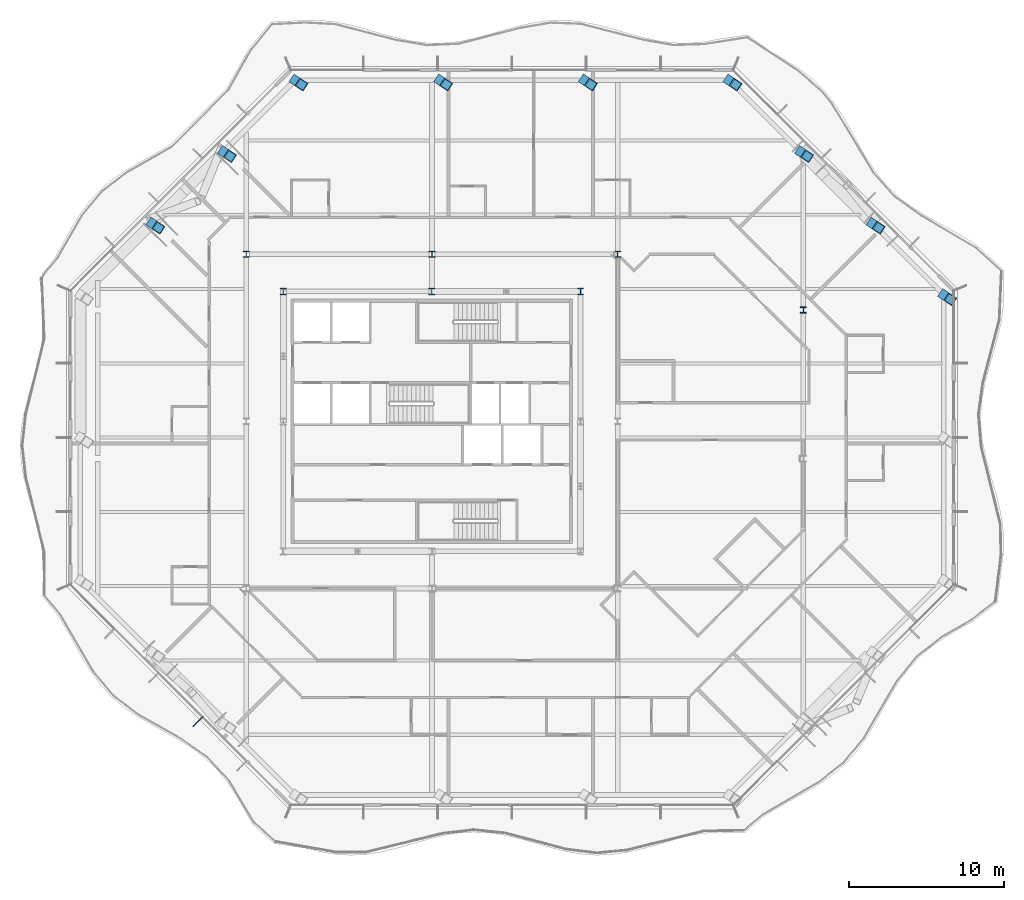
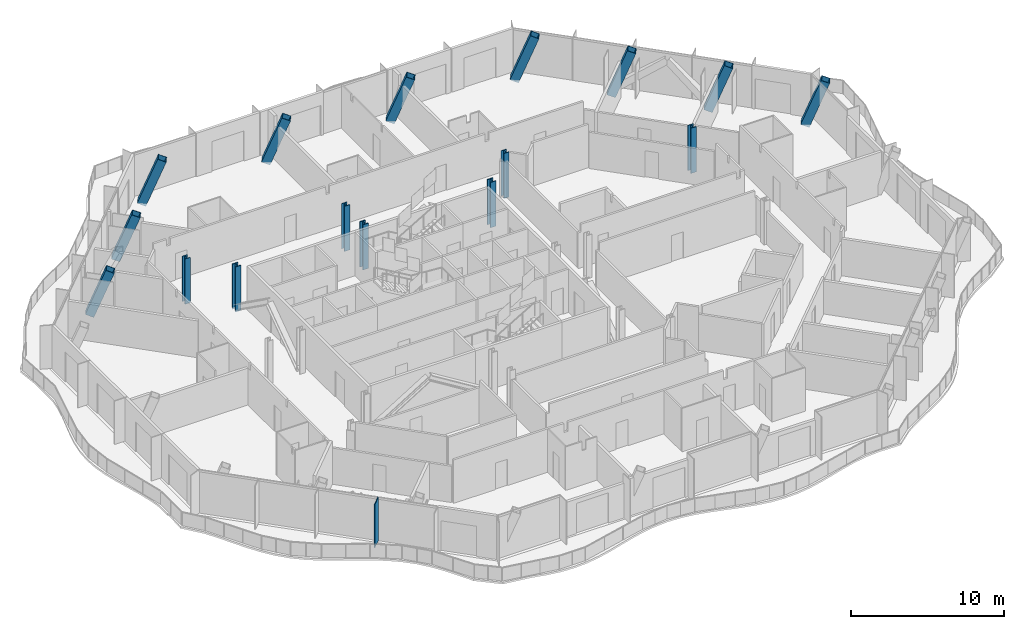
# One storey, part 2 of 19: 16 columns, 1 member, 1 element without a shape of its own.
"""IFC4 building model written with IfcOpenShell, lengths in metres."""

import ifcopenshell
import ifcopenshell.guid

model = None  # the IFC model being written
_history = None  # IfcOwnerHistory: only IFC2X3 demands one
_inside = {}  # id of a spatial element -> (the spatial element, [elements in it])
_under = {}  # id of a project, library or spatial element -> (it, [spatial elements below it])
_declared = {}  # id of a project -> (the project, [libraries it declares])
_typed = {}  # id of a type object -> (the type object, [elements of that type])
_made_of = {}  # id of a material, layer set ... -> (it, [elements and type objects made of it])


def new_model(schema):
    """Start an empty IFC model of exactly this schema.

    Asked for "IFC4X3", IfcOpenShell would pick the latest addendum, in which some entities
    have other attributes; the version numbers below select the first issue.
    IFC2X3 requires an IfcOwnerHistory on every rooted entity: one is made here for all.
    """
    global model, _history
    if schema == "IFC4X3":
        model = ifcopenshell.file(schema_version=(4, 3, 0, 0))
    else:
        model = ifcopenshell.file(schema=schema)
    _inside.clear()
    _under.clear()
    _declared.clear()
    _typed.clear()
    _made_of.clear()
    _history = None
    if model.schema == "IFC2X3":
        org = make("IfcOrganization", Name="unknown")
        user = make(
            "IfcPersonAndOrganization",
            ThePerson=make("IfcPerson", FamilyName="unknown"),
            TheOrganization=org,
        )
        app = make(
            "IfcApplication",
            ApplicationDeveloper=org,
            Version="unknown",
            ApplicationFullName="unknown",
            ApplicationIdentifier="unknown",
        )
        _history = make(
            "IfcOwnerHistory",
            OwningUser=user,
            OwningApplication=app,
            ChangeAction="ADDED",
            CreationDate=0,
        )
    return model


def make(cls, **values):
    """One entity of the class cls with the attributes given. An attribute that is None is left unset."""
    return model.create_entity(
        cls, **{name: value for name, value in values.items() if value is not None}
    )


def rooted(cls, **values):
    """An entity with a GlobalId (a new one), such as an element, a storey or a relation."""
    return make(cls, GlobalId=ifcopenshell.guid.new(), OwnerHistory=_history, **values)


def si_unit(unit_type, name, prefix=None):
    """IfcSIUnit, for example si_unit("LENGTHUNIT", "METRE", prefix="MILLI")."""
    return make("IfcSIUnit", UnitType=unit_type, Prefix=prefix, Name=name)


def assignment(units):
    """IfcUnitAssignment: the units of a project."""
    return None if units is None else make("IfcUnitAssignment", Units=units)


def point(xyz):
    """IfcCartesianPoint."""
    return None if xyz is None else make("IfcCartesianPoint", Coordinates=xyz)


def direction(xyz):
    """IfcDirection."""
    return None if xyz is None else make("IfcDirection", DirectionRatios=xyz)


def frame(location, z_axis=None, x_axis=None):
    """IfcAxis2Placement3D, a coordinate frame: its origin and axes. An axis left out is left unset."""
    return make(
        "IfcAxis2Placement3D",
        Location=point(location),
        Axis=direction(z_axis),
        RefDirection=direction(x_axis),
    )


def frame_2d(location, x_axis=None):
    """IfcAxis2Placement2D, a coordinate frame in the plane: its origin and x axis."""
    return make(
        "IfcAxis2Placement2D", Location=point(location), RefDirection=direction(x_axis)
    )


def origin():
    """The frame at (0, 0, 0) with its axes left unset."""
    return frame((0.0, 0.0, 0.0))


def origin_2d():
    """The frame at (0, 0) in the plane with its x axis left unset."""
    return frame_2d((0.0, 0.0))


def place(relative_to, where):
    """IfcLocalPlacement: puts the frame where relative to a parent placement (None: the world)."""
    return make(
        "IfcLocalPlacement", PlacementRelTo=relative_to, RelativePlacement=where
    )


def context(
    kind, dimensions, precision=None, world=None, true_north=None, identifier=None
):
    """IfcGeometricRepresentationContext, for example the 3D "Model" context."""
    return make(
        "IfcGeometricRepresentationContext",
        ContextIdentifier=identifier,
        ContextType=kind,
        CoordinateSpaceDimension=dimensions,
        Precision=precision,
        WorldCoordinateSystem=world,
        TrueNorth=true_north,
    )


def subcontext(parent, identifier, kind, view, scale=None):
    """IfcGeometricRepresentationSubContext, for example "Body" below "Model"."""
    return make(
        "IfcGeometricRepresentationSubContext",
        ContextIdentifier=identifier,
        ContextType=kind,
        ParentContext=parent,
        TargetScale=scale,
        TargetView=view,
    )


def project(units=None, contexts=None):
    """IfcProject with its units and contexts."""
    return rooted(
        "IfcProject",
        Name="project",
        RepresentationContexts=contexts,
        UnitsInContext=assignment(units),
    )


def spatial(cls, under=None, at=None, **own):
    """A site, building, storey or space (cls), placed at a placement, below another one or the project."""
    s = rooted(cls, ObjectPlacement=at, **own)
    if under is not None:
        _under.setdefault(under.id(), (under, []))[1].append(s)
    return s


def profile(cls, at=None, kind="AREA", **sizes):
    """A parametric profile (cls). Its sizes go by their IFC names, for example OverallWidth=200.0."""
    return make(cls, ProfileType=kind, Position=at, **sizes)


def rectangle(**sizes):
    """IfcRectangleProfileDef."""
    return profile("IfcRectangleProfileDef", **sizes)


def hollow_rectangle(**sizes):
    """IfcRectangleHollowProfileDef."""
    return profile("IfcRectangleHollowProfileDef", **sizes)


def i_section(**sizes):
    """IfcIShapeProfileDef."""
    return profile("IfcIShapeProfileDef", **sizes)


def extrude(swept, where, along, depth):
    """IfcExtrudedAreaSolid: the profile swept, set in the frame where, extruded along a direction by depth."""
    return make(
        "IfcExtrudedAreaSolid",
        SweptArea=swept,
        Position=where,
        ExtrudedDirection=direction(along),
        Depth=depth,
    )


def clip(a, b, op="DIFFERENCE"):
    """IfcBooleanClippingResult: the solid a cut by the half space b."""
    return make(
        "IfcBooleanClippingResult", Operator=op, FirstOperand=a, SecondOperand=b
    )


def halfspace(plane, agree):
    """IfcHalfSpaceSolid: all space on one side of the plane z = 0 of the frame plane."""
    return make(
        "IfcHalfSpaceSolid",
        BaseSurface=make("IfcPlane", Position=plane),
        AgreementFlag=agree,
    )


def shape(context_of_items, identifier, shape_type, items):
    """IfcShapeRepresentation: the items that make up one representation, for example the "Body"."""
    return make(
        "IfcShapeRepresentation",
        ContextOfItems=context_of_items,
        RepresentationIdentifier=identifier,
        RepresentationType=shape_type,
        Items=items,
    )


def material(Name=None, Category=None):
    """IfcMaterial."""
    return make("IfcMaterial", Name=Name, Category=Category)


def material_profile(
    of_material, cross_section, Name=None, Category=None, Priority=None
):
    """IfcMaterialProfile: a cross section and its material."""
    return make(
        "IfcMaterialProfile",
        Name=Name,
        Material=of_material,
        Profile=cross_section,
        Priority=Priority,
        Category=Category,
    )


def profile_set(profiles, Name=None, composite=None):
    """IfcMaterialProfileSet."""
    return make(
        "IfcMaterialProfileSet",
        Name=Name,
        MaterialProfiles=profiles,
        CompositeProfile=composite,
    )


def made_of(thing, what):
    """Note that an element or type object is made of a material, layer set ...; save() writes the relation."""
    if what is not None:
        _made_of.setdefault(what.id(), (what, []))[1].append(thing)
    return thing


def type_object(cls, material=None, **own):
    """A type object (cls), such as IfcWallType, which elements share."""
    return made_of(rooted(cls, **own), material)


def element(
    cls,
    number,
    at=None,
    inside=None,
    cuts=None,
    type_object=None,
    material=None,
    context=None,
    identifier="Body",
    shape_type=None,
    held_by="IfcProductDefinitionShape",
    body=None,
    shapes=None,
    **own,
):
    """One element of the class cls, such as IfcWall. Its Tag is "e" and its number.

    at: its placement. inside: the storey or other place that contains it. cuts: it is an
    opening in that element (IfcRelVoidsElement). A single representation is given by context,
    identifier, shape_type and body (its items); several are given by shapes. held_by: the class
    of the entity that holds the representations. save() writes the other relations.
    """
    e = rooted(cls, Tag="e%d" % number, ObjectPlacement=at, **own)
    if body is not None:
        shapes = [shape(context, identifier, shape_type, body)]
    if shapes is not None:
        e.Representation = make(held_by, Representations=shapes)
    if inside is not None:
        _inside.setdefault(inside.id(), (inside, []))[1].append(e)
    if cuts is not None:
        rooted(
            "IfcRelVoidsElement", RelatingBuildingElement=cuts, RelatedOpeningElement=e
        )
    if type_object is not None:
        _typed.setdefault(type_object.id(), (type_object, []))[1].append(e)
    return made_of(e, material)


def aggregate(whole, parts):
    """IfcRelAggregates: a whole, such as a stair, and the parts it consists of."""
    return rooted("IfcRelAggregates", RelatingObject=whole, RelatedObjects=parts)


def save(model, path):
    """Write the relations noted so far, then the file.

    IfcRelAggregates (storeys below a building ...), IfcRelContainedInSpatialStructure (elements
    in a storey), IfcRelDefinesByType, IfcRelAssociatesMaterial and IfcRelDeclares: one each for
    every whole, place, type object, material and project.
    """
    for whole, parts in _under.values():
        aggregate(whole, parts)
    for where, things in _inside.values():
        rooted(
            "IfcRelContainedInSpatialStructure",
            RelatedElements=things,
            RelatingStructure=where,
        )
    for kind, things in _typed.values():
        rooted("IfcRelDefinesByType", RelatedObjects=things, RelatingType=kind)
    for what, things in _made_of.values():
        rooted("IfcRelAssociatesMaterial", RelatedObjects=things, RelatingMaterial=what)
    for by, libraries in _declared.values():
        rooted("IfcRelDeclares", RelatingContext=by, RelatedDefinitions=libraries)
    model.write(path)


model = new_model("IFC4")

# Units and contexts
model_context = context("Model", 3, precision=1e-05, world=origin(), true_north=direction((0.0, 1.0)))
body_context = subcontext(model_context, "Body", "Model", "MODEL_VIEW")
ifc_project = project(units=[si_unit("LENGTHUNIT", "METRE"), si_unit("AREAUNIT", "SQUARE_METRE"), si_unit("VOLUMEUNIT", "CUBIC_METRE"), si_unit("PLANEANGLEUNIT", "RADIAN"), si_unit("MASSUNIT", "GRAM", prefix="KILO")], contexts=[model_context])

# Site, building, storey
site_placement = place(None, origin())
site = spatial("IfcSite", under=ifc_project, at=site_placement, CompositionType="ELEMENT")
building_placement = place(site_placement, origin())
building = spatial("IfcBuilding", under=site, at=building_placement, Name="Cairn Pilgrim Tower", CompositionType="ELEMENT")
storey_placement = place(building_placement, frame((0.0, 0.0, 190.199951171875)))
storey = spatial("IfcBuildingStorey", under=building, at=storey_placement, Name="L48", CompositionType="ELEMENT", Elevation=190.199951171875)

# Columns
ifc_material_1 = material(Name="Structural steel S460M", Category="steel")
ifc_material_profile_1 = material_profile(ifc_material_1, hollow_rectangle(XDim=0.60009765625, YDim=0.60009765625, WallThickness=0.034912109375, at=origin_2d()), Name="BOX 600x600x35")
ifc_profile_set_1 = profile_set([ifc_material_profile_1], Name="Structural steel S460M")
column_type_1 = type_object("IfcColumnType", Name="BOX 600x600x35", PredefinedType="COLUMN", material=ifc_profile_set_1)
for number, where, z_axis, x_axis, name in (
    (1, (40.27490234375, 10.5771484375, -0.14990234375), (0.29255764618, -0.195038430787, 0.936146374333), (0.554700196225, 0.832050294338, 0.0), "PC2-NE1"),
    (2, (35.650634765625, 15.201416015625, -0.14990234375), (0.29255764618, -0.195038430787, 0.936146374333), (0.554700196225, 0.832050294338, 0.0), "PC2-NE2"),
    (3, (31.026611328125, 19.82568359375, -0.14990234375), (0.29255764618, -0.195038430787, 0.936146374333), (0.554700196225, 0.832050294338, 0.0), "PC2-NE3"),
    (4, (26.402099609375, 24.449951171875, -0.14990234375), (0.29255764618, -0.195038430787, 0.936146374333), (0.554700196225, 0.832050294338, 0.0), "PC2-N1"),
    (5, (17.05078125, 24.449951171875, -0.14990234375), (0.29255764618, -0.195038430787, 0.936146374333), (0.554700196225, 0.832050294338, 0.0), "PC2-N2"),
    (6, (7.69921875, 24.449951171875, -0.14990234375), (0.29255764618, -0.195038430787, 0.936146374333), (0.554700196225, 0.832050294338, 0.0), "PC2-N3"),
    (7, (-1.652099609375, 24.449951171875, -0.14990234375), (0.29255764618, -0.195038430787, 0.936146374333), (0.554700196225, 0.832050294338, 0.0), "PC2-NW1"),
    (8, (-6.276611328125, 19.82568359375, -0.14990234375), (0.29255764618, -0.195038430787, 0.936146374333), (0.554700196225, 0.832050294338, 0.0), "PC2-NW2"),
    (9, (-10.900634765625, 15.201416015625, -0.14990234375), (0.29255764618, -0.195038430787, 0.936146374333), (0.554700196225, 0.832050294338, 0.0), "PC2-NW3"),
):
    element("IfcColumn", number, at=place(storey_placement, frame(where, z_axis=z_axis, x_axis=x_axis)), inside=storey, type_object=column_type_1, Name=name, PredefinedType="COLUMN", context=body_context, shape_type="Clipping", body=[
        clip(clip(extrude(hollow_rectangle(XDim=0.60009765625, YDim=0.60009765625, WallThickness=0.034912109375, at=origin_2d()), origin(), (0.0, 0.0, 1.0), 3.845458984375), halfspace(frame((0.0, 0.0, 0.0185546875), z_axis=(0.0, 0.0, 1.0), x_axis=(1.0, 0.0, 0.0)), True)), halfspace(frame((0.0, 0.0, 3.824951171875), z_axis=(0.0, 0.0, 1.0), x_axis=(1.0, 0.0, 0.0)), False)),
    ])
ifc_material_2 = material(Name="Structural steel S355J2", Category="steel")
ifc_material_profile_2 = material_profile(ifc_material_2, i_section(OverallWidth=0.39892578125, OverallDepth=0.39306640625, WebThickness=0.022705078125, FlangeThickness=0.03662109375, FilletRadius=0.014892578125, at=origin_2d()), Name="HD 400x287")
ifc_profile_set_2 = profile_set([ifc_material_profile_2], Name="Structural steel S355J2")
column_type_2 = type_object("IfcColumnType", Name="HD 400x287", PredefinedType="COLUMN", material=ifc_profile_set_2)
for number, where, z_axis, x_axis, name in (
    (10, (-4.800048828125, 13.199951171875, -0.14990234375), (0.0, 0.0, 1.0), (1.0, 0.0, 0.0), "IC-6"),
    (11, (7.199951171875, 13.199951171875, -0.14990234375), (0.0, 0.0, 1.0), (1.0, 0.0, 0.0), "IC-7"),
    (12, (19.199951171875, 13.199951171875, -0.14990234375), (0.0, 0.0, 1.0), (1.0, 0.0, 0.0), "IC-8"),
):
    element("IfcColumn", number, at=place(storey_placement, frame(where, z_axis=z_axis, x_axis=x_axis)), inside=storey, type_object=column_type_2, Name=name, PredefinedType="COLUMN", context=body_context, shape_type="SweptSolid", body=[
        extrude(i_section(OverallWidth=0.39892578125, OverallDepth=0.39306640625, WebThickness=0.022705078125, FlangeThickness=0.03662109375, FilletRadius=0.014892578125, at=origin_2d()), origin(), (0.0, 0.0, 1.0), 3.599853515625),
    ])
ifc_material_profile_3 = material_profile(ifc_material_1, i_section(OverallWidth=0.408935546875, OverallDepth=0.425048828125, WebThickness=0.03271484375, FlangeThickness=0.052490234375, FilletRadius=0.014892578125, at=origin_2d()), Name="HD 400x421")
ifc_profile_set_3 = profile_set([ifc_material_profile_3], Name="Structural steel S460M")
column_type_3 = type_object("IfcColumnType", Name="HD 400x421", PredefinedType="COLUMN", material=ifc_profile_set_3)
column_placement = place(storey_placement, frame((31.199951171875, 9.60009765625, -0.14990234375), z_axis=(0.0, 0.0, 1.0), x_axis=(1.0, 0.0, 0.0)))
element("IfcColumn", 13, at=column_placement, inside=storey, type_object=column_type_3, Name="WC-WE+2", PredefinedType="COLUMN", context=body_context, shape_type="SweptSolid", body=[
    extrude(i_section(OverallWidth=0.408935546875, OverallDepth=0.425048828125, WebThickness=0.03271484375, FlangeThickness=0.052490234375, FilletRadius=0.014892578125, at=origin_2d()), origin(), (0.0, 0.0, 1.0), 3.599853515625),
])
ifc_material_profile_4 = material_profile(ifc_material_1, i_section(OverallWidth=0.416015625, OverallDepth=0.446044921875, WebThickness=0.0390625, FlangeThickness=0.062744140625, FilletRadius=0.014892578125, at=origin_2d()), Name="HD 400x509")
ifc_profile_set_4 = profile_set([ifc_material_profile_4], Name="Structural steel S460M")
column_type_4 = type_object("IfcColumnType", Name="HD 400x509", PredefinedType="COLUMN", material=ifc_profile_set_4)
for number, where, z_axis, x_axis, name in (
    (14, (-2.39990234375, 10.800048828125, -0.14990234375), (0.0, 0.0, 1.0), (1.0, 0.0, 0.0), "KC-6"),
    (15, (7.199951171875, 10.800048828125, -0.14990234375), (0.0, 0.0, 1.0), (1.0, 0.0, 0.0), "KC-7"),
    (16, (16.800048828125, 10.800048828125, -0.14990234375), (0.0, 0.0, 1.0), (1.0, 0.0, 0.0), "KC-8"),
):
    element("IfcColumn", number, at=place(storey_placement, frame(where, z_axis=z_axis, x_axis=x_axis)), inside=storey, type_object=column_type_4, Name=name, PredefinedType="COLUMN", context=body_context, shape_type="SweptSolid", body=[
        extrude(i_section(OverallWidth=0.416015625, OverallDepth=0.446044921875, WebThickness=0.0390625, FlangeThickness=0.062744140625, FilletRadius=0.014892578125, at=origin_2d()), origin(), (0.0, 0.0, 1.0), 3.599853515625),
    ])

# Curtain wall, member
ifc_material_3 = material(Name="Aluminium alloy 6063-T6 bronze anodised with Bronze tinted laminated low-E glass 8+16+8.8", Category="aluminium")
curtain_wall_type = type_object("IfcCurtainWallType", Name="CHAMFER CORNER CURTAIN WALL", PredefinedType="NOTDEFINED", material=ifc_material_3)
curtain_wall_placement = place(storey_placement, origin())
curtain_wall = element("IfcCurtainWall", 17, at=curtain_wall_placement, inside=storey, type_object=curtain_wall_type, Name="Chamfer Corner Curtain Wall SW", PredefinedType="NOTDEFINED")
ifc_material_4 = material(Name="Aluminium alloy 6063-T6 bronze anodised", Category="aluminium")
ifc_material_profile_5 = material_profile(ifc_material_4, rectangle(XDim=0.89990234375, YDim=0.06005859375, at=origin_2d()), Name="FIN MULLION 60x900 BRONZE")
ifc_profile_set_5 = profile_set([ifc_material_profile_5], Name="Aluminium alloy 6063-T6 bronze anodised")
member_type = type_object("IfcMemberType", Name="FIN MULLION 60x900 BRONZE", PredefinedType="MULLION", material=ifc_profile_set_5)
member_placement = place(storey_placement, frame((-7.919921875, -16.99560546875, 0.0), z_axis=(0.0, 0.0, 1.0), x_axis=(-0.707106781187, -0.707106781187, 0.0)))
member = element("IfcMember", 18, at=member_placement, type_object=member_type, Name="Fin mullion SW4", PredefinedType="MULLION", context=body_context, shape_type="SweptSolid", body=[
    extrude(rectangle(XDim=0.89990234375, YDim=0.06005859375, at=origin_2d()), origin(), (0.0, 0.0, 1.0), 3.449951171875),
])
aggregate(curtain_wall, [member])

save(model, "model.ifc")
